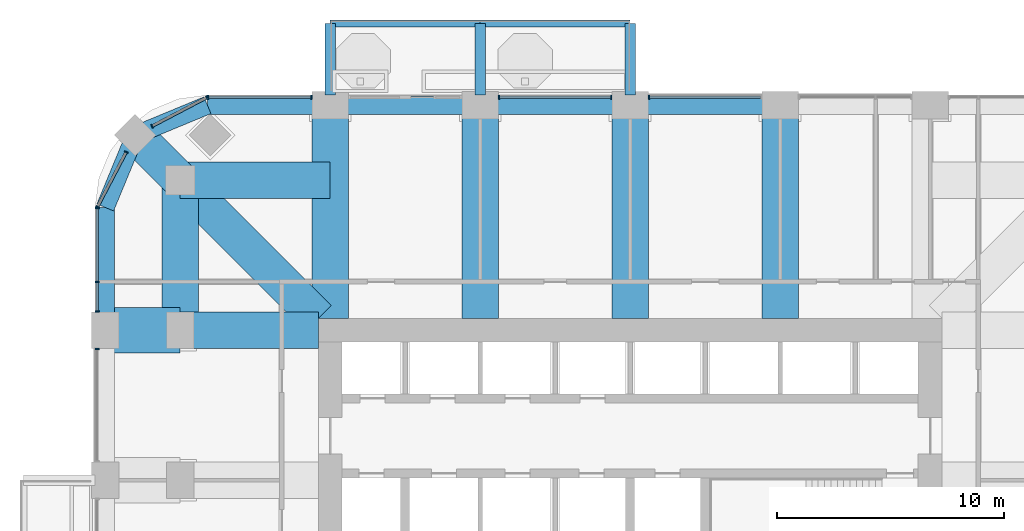
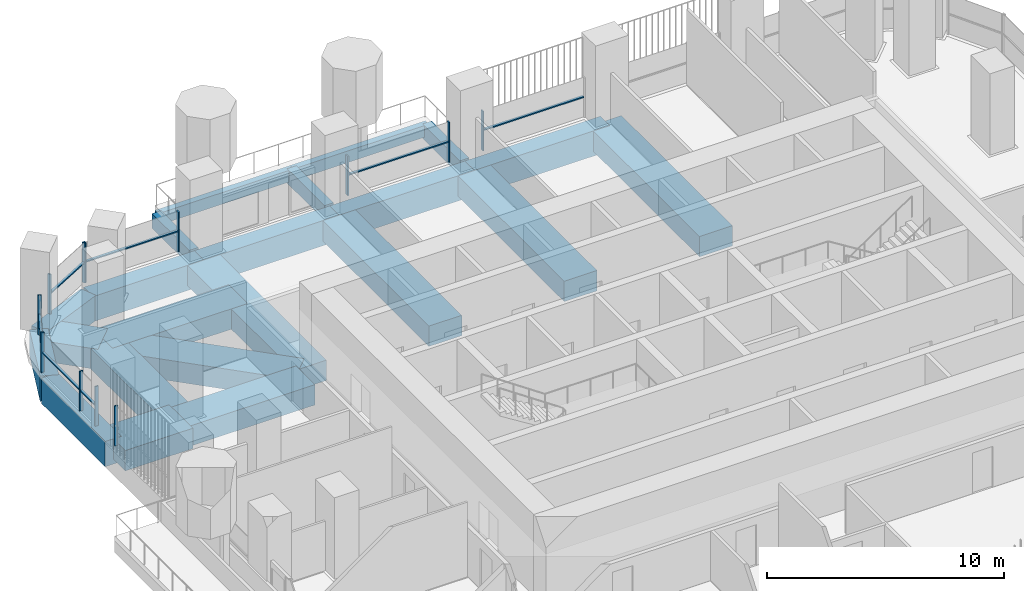
# One storey, part 6 of 20: 22 beams, 20 members, 7 elements without a shape of their own.
"""IFC4 building model written with IfcOpenShell, lengths in metres."""

import ifcopenshell
import ifcopenshell.guid

model = None  # the IFC model being written
_history = None  # IfcOwnerHistory: only IFC2X3 demands one
_inside = {}  # id of a spatial element -> (the spatial element, [elements in it])
_under = {}  # id of a project, library or spatial element -> (it, [spatial elements below it])
_declared = {}  # id of a project -> (the project, [libraries it declares])
_typed = {}  # id of a type object -> (the type object, [elements of that type])
_made_of = {}  # id of a material, layer set ... -> (it, [elements and type objects made of it])


def new_model(schema):
    """Start an empty IFC model of exactly this schema.

    Asked for "IFC4X3", IfcOpenShell would pick the latest addendum, in which some entities
    have other attributes; the version numbers below select the first issue.
    IFC2X3 requires an IfcOwnerHistory on every rooted entity: one is made here for all.
    """
    global model, _history
    if schema == "IFC4X3":
        model = ifcopenshell.file(schema_version=(4, 3, 0, 0))
    else:
        model = ifcopenshell.file(schema=schema)
    _inside.clear()
    _under.clear()
    _declared.clear()
    _typed.clear()
    _made_of.clear()
    _history = None
    if model.schema == "IFC2X3":
        org = make("IfcOrganization", Name="unknown")
        user = make(
            "IfcPersonAndOrganization",
            ThePerson=make("IfcPerson", FamilyName="unknown"),
            TheOrganization=org,
        )
        app = make(
            "IfcApplication",
            ApplicationDeveloper=org,
            Version="unknown",
            ApplicationFullName="unknown",
            ApplicationIdentifier="unknown",
        )
        _history = make(
            "IfcOwnerHistory",
            OwningUser=user,
            OwningApplication=app,
            ChangeAction="ADDED",
            CreationDate=0,
        )
    return model


def make(cls, **values):
    """One entity of the class cls with the attributes given. An attribute that is None is left unset."""
    return model.create_entity(
        cls, **{name: value for name, value in values.items() if value is not None}
    )


def rooted(cls, **values):
    """An entity with a GlobalId (a new one), such as an element, a storey or a relation."""
    return make(cls, GlobalId=ifcopenshell.guid.new(), OwnerHistory=_history, **values)


def si_unit(unit_type, name, prefix=None):
    """IfcSIUnit, for example si_unit("LENGTHUNIT", "METRE", prefix="MILLI")."""
    return make("IfcSIUnit", UnitType=unit_type, Prefix=prefix, Name=name)


def assignment(units):
    """IfcUnitAssignment: the units of a project."""
    return None if units is None else make("IfcUnitAssignment", Units=units)


def point(xyz):
    """IfcCartesianPoint."""
    return None if xyz is None else make("IfcCartesianPoint", Coordinates=xyz)


def direction(xyz):
    """IfcDirection."""
    return None if xyz is None else make("IfcDirection", DirectionRatios=xyz)


def frame(location, z_axis=None, x_axis=None):
    """IfcAxis2Placement3D, a coordinate frame: its origin and axes. An axis left out is left unset."""
    return make(
        "IfcAxis2Placement3D",
        Location=point(location),
        Axis=direction(z_axis),
        RefDirection=direction(x_axis),
    )


def frame_2d(location, x_axis=None):
    """IfcAxis2Placement2D, a coordinate frame in the plane: its origin and x axis."""
    return make(
        "IfcAxis2Placement2D", Location=point(location), RefDirection=direction(x_axis)
    )


def origin():
    """The frame at (0, 0, 0) with its axes left unset."""
    return frame((0.0, 0.0, 0.0))


def origin_2d():
    """The frame at (0, 0) in the plane with its x axis left unset."""
    return frame_2d((0.0, 0.0))


def place(relative_to, where):
    """IfcLocalPlacement: puts the frame where relative to a parent placement (None: the world)."""
    return make(
        "IfcLocalPlacement", PlacementRelTo=relative_to, RelativePlacement=where
    )


def context(
    kind, dimensions, precision=None, world=None, true_north=None, identifier=None
):
    """IfcGeometricRepresentationContext, for example the 3D "Model" context."""
    return make(
        "IfcGeometricRepresentationContext",
        ContextIdentifier=identifier,
        ContextType=kind,
        CoordinateSpaceDimension=dimensions,
        Precision=precision,
        WorldCoordinateSystem=world,
        TrueNorth=true_north,
    )


def subcontext(parent, identifier, kind, view, scale=None):
    """IfcGeometricRepresentationSubContext, for example "Body" below "Model"."""
    return make(
        "IfcGeometricRepresentationSubContext",
        ContextIdentifier=identifier,
        ContextType=kind,
        ParentContext=parent,
        TargetScale=scale,
        TargetView=view,
    )


def project(units=None, contexts=None):
    """IfcProject with its units and contexts."""
    return rooted(
        "IfcProject",
        Name="project",
        RepresentationContexts=contexts,
        UnitsInContext=assignment(units),
    )


def spatial(cls, under=None, at=None, **own):
    """A site, building, storey or space (cls), placed at a placement, below another one or the project."""
    s = rooted(cls, ObjectPlacement=at, **own)
    if under is not None:
        _under.setdefault(under.id(), (under, []))[1].append(s)
    return s


def profile(cls, at=None, kind="AREA", **sizes):
    """A parametric profile (cls). Its sizes go by their IFC names, for example OverallWidth=200.0."""
    return make(cls, ProfileType=kind, Position=at, **sizes)


def rectangle(**sizes):
    """IfcRectangleProfileDef."""
    return profile("IfcRectangleProfileDef", **sizes)


def extrude(swept, where, along, depth):
    """IfcExtrudedAreaSolid: the profile swept, set in the frame where, extruded along a direction by depth."""
    return make(
        "IfcExtrudedAreaSolid",
        SweptArea=swept,
        Position=where,
        ExtrudedDirection=direction(along),
        Depth=depth,
    )


def shape(context_of_items, identifier, shape_type, items):
    """IfcShapeRepresentation: the items that make up one representation, for example the "Body"."""
    return make(
        "IfcShapeRepresentation",
        ContextOfItems=context_of_items,
        RepresentationIdentifier=identifier,
        RepresentationType=shape_type,
        Items=items,
    )


def material(Name=None, Category=None):
    """IfcMaterial."""
    return make("IfcMaterial", Name=Name, Category=Category)


def material_profile(
    of_material, cross_section, Name=None, Category=None, Priority=None
):
    """IfcMaterialProfile: a cross section and its material."""
    return make(
        "IfcMaterialProfile",
        Name=Name,
        Material=of_material,
        Profile=cross_section,
        Priority=Priority,
        Category=Category,
    )


def profile_set(profiles, Name=None, composite=None):
    """IfcMaterialProfileSet."""
    return make(
        "IfcMaterialProfileSet",
        Name=Name,
        MaterialProfiles=profiles,
        CompositeProfile=composite,
    )


def made_of(thing, what):
    """Note that an element or type object is made of a material, layer set ...; save() writes the relation."""
    if what is not None:
        _made_of.setdefault(what.id(), (what, []))[1].append(thing)
    return thing


def type_object(cls, material=None, **own):
    """A type object (cls), such as IfcWallType, which elements share."""
    return made_of(rooted(cls, **own), material)


def element(
    cls,
    number,
    at=None,
    inside=None,
    cuts=None,
    type_object=None,
    material=None,
    context=None,
    identifier="Body",
    shape_type=None,
    held_by="IfcProductDefinitionShape",
    body=None,
    shapes=None,
    **own,
):
    """One element of the class cls, such as IfcWall. Its Tag is "e" and its number.

    at: its placement. inside: the storey or other place that contains it. cuts: it is an
    opening in that element (IfcRelVoidsElement). A single representation is given by context,
    identifier, shape_type and body (its items); several are given by shapes. held_by: the class
    of the entity that holds the representations. save() writes the other relations.
    """
    e = rooted(cls, Tag="e%d" % number, ObjectPlacement=at, **own)
    if body is not None:
        shapes = [shape(context, identifier, shape_type, body)]
    if shapes is not None:
        e.Representation = make(held_by, Representations=shapes)
    if inside is not None:
        _inside.setdefault(inside.id(), (inside, []))[1].append(e)
    if cuts is not None:
        rooted(
            "IfcRelVoidsElement", RelatingBuildingElement=cuts, RelatedOpeningElement=e
        )
    if type_object is not None:
        _typed.setdefault(type_object.id(), (type_object, []))[1].append(e)
    return made_of(e, material)


def aggregate(whole, parts):
    """IfcRelAggregates: a whole, such as a stair, and the parts it consists of."""
    return rooted("IfcRelAggregates", RelatingObject=whole, RelatedObjects=parts)


def save(model, path):
    """Write the relations noted so far, then the file.

    IfcRelAggregates (storeys below a building ...), IfcRelContainedInSpatialStructure (elements
    in a storey), IfcRelDefinesByType, IfcRelAssociatesMaterial and IfcRelDeclares: one each for
    every whole, place, type object, material and project.
    """
    for whole, parts in _under.values():
        aggregate(whole, parts)
    for where, things in _inside.values():
        rooted(
            "IfcRelContainedInSpatialStructure",
            RelatedElements=things,
            RelatingStructure=where,
        )
    for kind, things in _typed.values():
        rooted("IfcRelDefinesByType", RelatedObjects=things, RelatingType=kind)
    for what, things in _made_of.values():
        rooted("IfcRelAssociatesMaterial", RelatedObjects=things, RelatingMaterial=what)
    for by, libraries in _declared.values():
        rooted("IfcRelDeclares", RelatingContext=by, RelatedDefinitions=libraries)
    model.write(path)


model = new_model("IFC4")

# Units and contexts
model_context = context("Model", 3, precision=1e-05, world=origin(), true_north=direction((0.0, 1.0)))
body_context = subcontext(model_context, "Body", "Model", "MODEL_VIEW")
ifc_project = project(units=[si_unit("LENGTHUNIT", "METRE"), si_unit("AREAUNIT", "SQUARE_METRE"), si_unit("VOLUMEUNIT", "CUBIC_METRE"), si_unit("PLANEANGLEUNIT", "RADIAN"), si_unit("MASSUNIT", "GRAM", prefix="KILO")], contexts=[model_context])

# Site, building, storey
site_placement = place(None, origin())
site = spatial("IfcSite", under=ifc_project, at=site_placement, CompositionType="ELEMENT")
building_placement = place(site_placement, origin())
building = spatial("IfcBuilding", under=site, at=building_placement, Name="Cobogo Forest Laboratory Tower", CompositionType="ELEMENT")
storey_placement = place(building_placement, frame((0.0, 0.0, 218.699951171875)))
storey = spatial("IfcBuildingStorey", under=building, at=storey_placement, Name="L50", CompositionType="ELEMENT", Elevation=218.699951171875)

# Beams
ifc_material_1 = material(Name="Concrete HA-40 (C40/50)", Category="concrete")
ifc_material_profile_1 = material_profile(ifc_material_1, rectangle(XDim=0.449951171875, YDim=0.75, at=origin_2d()), Name="RC 450x750")
ifc_profile_set_1 = profile_set([ifc_material_profile_1], Name="Concrete HA-40 (C40/50)")
beam_type_1 = type_object("IfcBeamType", Name="Balcony cantilever beam 450x750", PredefinedType="BEAM", material=ifc_profile_set_1)
for number, where, z_axis, x_axis, name in (
    (1, (13.199951171875, 43.35009765625, -0.625), (0.0, 1.0, 0.0), (-1.0, 0.0, 0.0), "CB1 BAL-N1-C1 L50"),
    (2, (19.800048828125, 43.35009765625, -0.625), (0.0, 1.0, 0.0), (-1.0, 0.0, 0.0), "CB1 BAL-N1-C2 L50"),
    (3, (26.39990234375, 43.35009765625, -0.625), (0.0, 1.0, 0.0), (-1.0, 0.0, 0.0), "CB1 BAL-N1-C3 L50"),
):
    element("IfcBeam", number, at=place(storey_placement, frame(where, z_axis=z_axis, x_axis=x_axis)), inside=storey, type_object=beam_type_1, Name=name, PredefinedType="BEAM", context=body_context, shape_type="SweptSolid", body=[
        extrude(rectangle(XDim=0.449951171875, YDim=0.75, at=origin_2d()), origin(), (0.0, 0.0, 1.0), 3.14990234375),
    ])
ifc_material_profile_2 = material_profile(ifc_material_1, rectangle(XDim=0.300048828125, YDim=0.60009765625, at=origin_2d()), Name="RC 300x600")
ifc_profile_set_2 = profile_set([ifc_material_profile_2], Name="Concrete HA-40 (C40/50)")
beam_type_2 = type_object("IfcBeamType", Name="Balcony edge beam 300x600", PredefinedType="BEAM", material=ifc_profile_set_2)
beam_1_placement = place(storey_placement, frame((13.199951171875, 46.5, -0.550048828125), z_axis=(1.0, 0.0, 0.0), x_axis=(0.0, 1.0, 0.0)))
element("IfcBeam", 4, at=beam_1_placement, inside=storey, type_object=beam_type_2, Name="BB1 BAL-N1-T1 L50", PredefinedType="BEAM", context=body_context, shape_type="SweptSolid", body=[
    extrude(rectangle(XDim=0.300048828125, YDim=0.60009765625, at=origin_2d()), origin(), (0.0, 0.0, 1.0), 6.60009765625),
])
beam_2_placement = place(storey_placement, frame((19.800048828125, 46.5, -0.550048828125), z_axis=(1.0, 0.0, 0.0), x_axis=(0.0, 1.0, 0.0)))
element("IfcBeam", 5, at=beam_2_placement, inside=storey, type_object=beam_type_2, Name="BB1 BAL-N1-T2 L50", PredefinedType="BEAM", context=body_context, shape_type="SweptSolid", body=[
    extrude(rectangle(XDim=0.300048828125, YDim=0.60009765625, at=origin_2d()), origin(), (0.0, 0.0, 1.0), 6.599853515625),
])
ifc_material_2 = material(Name="Concrete HA-50 (C50/60)", Category="concrete")
ifc_material_profile_3 = material_profile(ifc_material_2, rectangle(XDim=2.0, YDim=1.050048828125, at=origin_2d()), Name="RC 2000x1050")
ifc_profile_set_3 = profile_set([ifc_material_profile_3], Name="Concrete HA-50 (C50/60)")
beam_type_3 = type_object("IfcBeamType", Name="End-bay wide beam 2000x1050", PredefinedType="BEAM", material=ifc_profile_set_3)
beam_3_placement = place(storey_placement, frame((3.300048828125, 33.0, -0.824951171875), z_axis=(1.0, 0.0, 0.0), x_axis=(0.0, 1.0, 0.0)))
element("IfcBeam", 6, at=beam_3_placement, inside=storey, type_object=beam_type_3, Name="RB7 R-F-W-X L50", PredefinedType="BEAM", context=body_context, shape_type="SweptSolid", body=[
    extrude(rectangle(XDim=2.0, YDim=1.050048828125, at=origin_2d()), origin(), (0.0, 0.0, 1.0), 3.300048828125),
])
ifc_material_profile_4 = material_profile(ifc_material_2, rectangle(XDim=1.60009765625, YDim=1.050048828125, at=origin_2d()), Name="RC 1600x1050")
ifc_profile_set_4 = profile_set([ifc_material_profile_4], Name="Concrete HA-50 (C50/60)")
beam_type_4 = type_object("IfcBeamType", Name="Laboratory floor wide beam 1600x1050", PredefinedType="BEAM", material=ifc_profile_set_4)
for number, where, z_axis, x_axis, name in (
    (7, (13.199951171875, 33.52490234375, -0.824951171875), (0.0, 1.0, 0.0), (-1.0, 0.0, 0.0), "RB8 R-3-N L50"),
    (8, (19.800048828125, 33.52490234375, -0.824951171875), (0.0, 1.0, 0.0), (-1.0, 0.0, 0.0), "RB8 R-4-N L50"),
    (9, (26.39990234375, 33.52490234375, -0.824951171875), (0.0, 1.0, 0.0), (-1.0, 0.0, 0.0), "RB8 R-5-N L50"),
    (10, (33.0, 33.52490234375, -0.824951171875), (0.0, 1.0, 0.0), (-1.0, 0.0, 0.0), "RB8 R-6-N L50"),
):
    element("IfcBeam", number, at=place(storey_placement, frame(where, z_axis=z_axis, x_axis=x_axis)), inside=storey, type_object=beam_type_4, Name=name, PredefinedType="BEAM", context=body_context, shape_type="SweptSolid", body=[
        extrude(rectangle(XDim=1.60009765625, YDim=1.050048828125, at=origin_2d()), origin(), (0.0, 0.0, 1.0), 9.375),
    ])
beam_4_placement = place(storey_placement, frame((12.675048828125, 33.0, -0.824951171875), z_axis=(-1.0, 0.0, 0.0), x_axis=(0.0, -1.0, 0.0)))
element("IfcBeam", 11, at=beam_4_placement, inside=storey, type_object=beam_type_4, Name="RB8 R-F-W L50", PredefinedType="BEAM", context=body_context, shape_type="SweptSolid", body=[
    extrude(rectangle(XDim=1.60009765625, YDim=1.050048828125, at=origin_2d()), origin(), (0.0, 0.0, 1.0), 6.074951171875),
])
beam_5_placement = place(storey_placement, frame((6.60009765625, 39.60009765625, -0.824951171875), z_axis=(0.0, -1.0, 0.0), x_axis=(1.0, 0.0, 0.0)))
element("IfcBeam", 12, at=beam_5_placement, inside=storey, type_object=beam_type_4, Name="RB8 G-NW-XC L50", PredefinedType="BEAM", context=body_context, shape_type="SweptSolid", body=[
    extrude(rectangle(XDim=1.60009765625, YDim=1.050048828125, at=origin_2d()), origin(), (0.0, 0.0, 1.0), 6.60009765625),
])
beam_6_placement = place(storey_placement, frame((6.60009765625, 39.60009765625, -0.824951171875), z_axis=(1.0, 0.0, 0.0), x_axis=(0.0, 1.0, 0.0)))
element("IfcBeam", 13, at=beam_6_placement, inside=storey, type_object=beam_type_4, Name="RB8 G-NW-YC L50", PredefinedType="BEAM", context=body_context, shape_type="SweptSolid", body=[
    extrude(rectangle(XDim=1.60009765625, YDim=1.050048828125, at=origin_2d()), origin(), (0.0, 0.0, 1.0), 6.599853515625),
])
beam_7_placement = place(storey_placement, frame((4.617919921875, 41.58203125, -0.824951171875), z_axis=(0.707150328948, -0.707063230743, 0.0), x_axis=(0.707063230743, 0.707150328948, 0.0)))
element("IfcBeam", 14, at=beam_7_placement, inside=storey, type_object=beam_type_4, Name="RB8 G-NW-D1 L50", PredefinedType="BEAM", context=body_context, shape_type="SweptSolid", body=[
    extrude(rectangle(XDim=1.60009765625, YDim=1.050048828125, at=origin_2d()), origin(), (0.0, 0.0, 1.0), 2.802978515625),
])
beam_8_placement = place(storey_placement, frame((6.60009765625, 39.60009765625, -0.824951171875), z_axis=(0.707092572697, -0.70712098939, 0.0), x_axis=(0.70712098939, 0.707092572697, 0.0)))
element("IfcBeam", 15, at=beam_8_placement, inside=storey, type_object=beam_type_4, Name="RB8 G-NW-D2 L50", PredefinedType="BEAM", context=body_context, shape_type="SweptSolid", body=[
    extrude(rectangle(XDim=1.60009765625, YDim=1.050048828125, at=origin_2d()), origin(), (0.0, 0.0, 1.0), 8.591552734375),
])

# Curtain wall, member
ifc_material_3 = material(Name="Aluminium curtain wall", Category="aluminium")
curtain_wall_type = type_object("IfcCurtainWallType", Name="CW-2 unitised curtain wall, solar control glazing, laboratory floors zones C and D", PredefinedType="USERDEFINED", material=ifc_material_3)
curtain_wall_1_placement = place(storey_placement, origin())
curtain_wall_1 = element("IfcCurtainWall", 16, at=curtain_wall_1_placement, inside=storey, type_object=curtain_wall_type, Name="Curtain wall 18 L50", ObjectType="UNITISED CURTAIN WALL", PredefinedType="USERDEFINED")
ifc_material_4 = material(Name="Aluminium mullion", Category="aluminium")
ifc_material_profile_5 = material_profile(ifc_material_4, rectangle(XDim=0.06005859375, YDim=0.159912109375, at=origin_2d()), Name="AL 60x160")
ifc_profile_set_5 = profile_set([ifc_material_profile_5], Name="Aluminium mullion")
member_type_1 = type_object("IfcMemberType", Name="MU-1 aluminium mullion 60x160", PredefinedType="MULLION", material=ifc_profile_set_5)
member_1_placement = place(storey_placement, frame((27.22998046875, 43.25, 0.0), z_axis=(0.0, 0.0, 1.0), x_axis=(-1.0, 0.0, 0.0)))
member_1 = element("IfcMember", 17, at=member_1_placement, type_object=member_type_1, Name="CW-2 mullion 2", PredefinedType="MULLION", context=body_context, shape_type="SweptSolid", body=[
    extrude(rectangle(XDim=0.06005859375, YDim=0.159912109375, at=origin_2d()), origin(), (0.0, 0.0, 1.0), 2.050048828125),
])

# Curtain wall, members
curtain_wall_2_placement = place(storey_placement, origin())
curtain_wall_2 = element("IfcCurtainWall", 18, at=curtain_wall_2_placement, inside=storey, type_object=curtain_wall_type, Name="Curtain wall 19 L50", ObjectType="UNITISED CURTAIN WALL", PredefinedType="USERDEFINED")
member_2_placement = place(storey_placement, frame((25.570068359375, 43.25, 0.0), z_axis=(0.0, 0.0, 1.0), x_axis=(-1.0, 0.0, 0.0)))
member_2 = element("IfcMember", 19, at=member_2_placement, type_object=member_type_1, Name="CW-2 mullion 1", PredefinedType="MULLION", context=body_context, shape_type="SweptSolid", body=[
    extrude(rectangle(XDim=0.06005859375, YDim=0.159912109375, at=origin_2d()), origin(), (0.0, 0.0, 1.0), 2.050048828125),
])
member_3_placement = place(storey_placement, frame((20.6298828125, 43.25, 0.0), z_axis=(0.0, 0.0, 1.0), x_axis=(-1.0, 0.0, 0.0)))
member_3 = element("IfcMember", 20, at=member_3_placement, type_object=member_type_1, Name="CW-2 mullion 2", PredefinedType="MULLION", context=body_context, shape_type="SweptSolid", body=[
    extrude(rectangle(XDim=0.06005859375, YDim=0.159912109375, at=origin_2d()), origin(), (0.0, 0.0, 1.0), 2.050048828125),
])

curtain_wall_3_placement = place(storey_placement, origin())
curtain_wall_3 = element("IfcCurtainWall", 21, at=curtain_wall_3_placement, inside=storey, type_object=curtain_wall_type, Name="Curtain wall 21 L50", ObjectType="UNITISED CURTAIN WALL", PredefinedType="USERDEFINED")
member_4_placement = place(storey_placement, frame((12.3701171875, 43.25, 0.0), z_axis=(0.0, 0.0, 1.0), x_axis=(-1.0, 0.0, 0.0)))
member_4 = element("IfcMember", 22, at=member_4_placement, type_object=member_type_1, Name="CW-2 mullion 1", PredefinedType="MULLION", context=body_context, shape_type="SweptSolid", body=[
    extrude(rectangle(XDim=0.06005859375, YDim=0.159912109375, at=origin_2d()), origin(), (0.0, 0.0, 1.0), 2.050048828125),
])
member_5_placement = place(storey_placement, frame((7.830078125, 43.25, 0.0), z_axis=(0.0, 0.0, 1.0), x_axis=(-1.0, 0.0, 0.0)))
member_5 = element("IfcMember", 23, at=member_5_placement, type_object=member_type_1, Name="CW-2 mullion 2", PredefinedType="MULLION", context=body_context, shape_type="SweptSolid", body=[
    extrude(rectangle(XDim=0.06005859375, YDim=0.159912109375, at=origin_2d()), origin(), (0.0, 0.0, 1.0), 2.050048828125),
])

curtain_wall_4_placement = place(storey_placement, origin())
curtain_wall_4 = element("IfcCurtainWall", 24, at=curtain_wall_4_placement, inside=storey, type_object=curtain_wall_type, Name="Curtain wall 22 L50", ObjectType="UNITISED CURTAIN WALL", PredefinedType="USERDEFINED")
member_6_placement = place(storey_placement, frame((7.7734375, 43.236083984375, 0.0), z_axis=(0.0, 0.0, 1.0), x_axis=(-0.885686547075, -0.464283685186, 0.0)))
member_6 = element("IfcMember", 25, at=member_6_placement, type_object=member_type_1, Name="CW-2 mullion 1", PredefinedType="MULLION", context=body_context, shape_type="SweptSolid", body=[
    extrude(rectangle(XDim=0.06005859375, YDim=0.159912109375, at=origin_2d()), origin(), (0.0, 0.0, 1.0), 2.050048828125),
])
member_7_placement = place(storey_placement, frame((5.368408203125, 41.975341796875, 0.0), z_axis=(0.0, 0.0, 1.0), x_axis=(-0.885686547075, -0.464283685186, 0.0)))
member_7 = element("IfcMember", 26, at=member_7_placement, type_object=member_type_1, Name="CW-2 mullion 2", PredefinedType="MULLION", context=body_context, shape_type="SweptSolid", body=[
    extrude(rectangle(XDim=0.06005859375, YDim=0.159912109375, at=origin_2d()), origin(), (0.0, 0.0, 1.0), 2.050048828125),
])

curtain_wall_5_placement = place(storey_placement, origin())
curtain_wall_5 = element("IfcCurtainWall", 27, at=curtain_wall_5_placement, inside=storey, type_object=curtain_wall_type, Name="Curtain wall 23 L50", ObjectType="UNITISED CURTAIN WALL", PredefinedType="USERDEFINED")
member_8_placement = place(storey_placement, frame((4.224609375, 40.831787109375, 0.0), z_axis=(0.0, 0.0, 1.0), x_axis=(-0.464283685186, -0.885686547075, 0.0)))
member_8 = element("IfcMember", 28, at=member_8_placement, type_object=member_type_1, Name="CW-2 mullion 1", PredefinedType="MULLION", context=body_context, shape_type="SweptSolid", body=[
    extrude(rectangle(XDim=0.06005859375, YDim=0.159912109375, at=origin_2d()), origin(), (0.0, 0.0, 1.0), 2.050048828125),
])
member_9_placement = place(storey_placement, frame((2.9638671875, 38.426513671875, 0.0), z_axis=(0.0, 0.0, 1.0), x_axis=(-0.464283685186, -0.885686547075, 0.0)))
member_9 = element("IfcMember", 29, at=member_9_placement, type_object=member_type_1, Name="CW-2 mullion 2", PredefinedType="MULLION", context=body_context, shape_type="SweptSolid", body=[
    extrude(rectangle(XDim=0.06005859375, YDim=0.159912109375, at=origin_2d()), origin(), (0.0, 0.0, 1.0), 2.050048828125),
])

curtain_wall_6_placement = place(storey_placement, origin())
curtain_wall_6 = element("IfcCurtainWall", 30, at=curtain_wall_6_placement, inside=storey, type_object=curtain_wall_type, Name="Curtain wall 24 L50", ObjectType="UNITISED CURTAIN WALL", PredefinedType="USERDEFINED")
member_10_placement = place(storey_placement, frame((2.949951171875, 38.3701171875, 0.0), z_axis=(0.0, 0.0, 1.0), x_axis=(0.0, -1.0, 0.0)))
member_10 = element("IfcMember", 31, at=member_10_placement, type_object=member_type_1, Name="CW-2 mullion 1", PredefinedType="MULLION", context=body_context, shape_type="SweptSolid", body=[
    extrude(rectangle(XDim=0.06005859375, YDim=0.159912109375, at=origin_2d()), origin(), (0.0, 0.0, 1.0), 2.050048828125),
])
member_11_placement = place(storey_placement, frame((2.949951171875, 35.125, 0.0), z_axis=(0.0, 0.0, 1.0), x_axis=(0.0, -1.0, 0.0)))
member_11 = element("IfcMember", 32, at=member_11_placement, type_object=member_type_1, Name="CW-2 mullion 2", PredefinedType="MULLION", context=body_context, shape_type="SweptSolid", body=[
    extrude(rectangle(XDim=0.06005859375, YDim=0.159912109375, at=origin_2d()), origin(), (0.0, 0.0, 1.0), 2.050048828125),
])
member_12_placement = place(storey_placement, frame((2.949951171875, 33.830078125, 0.0), z_axis=(0.0, 0.0, 1.0), x_axis=(0.0, -1.0, 0.0)))
member_12 = element("IfcMember", 33, at=member_12_placement, type_object=member_type_1, Name="CW-2 mullion 3", PredefinedType="MULLION", context=body_context, shape_type="SweptSolid", body=[
    extrude(rectangle(XDim=0.06005859375, YDim=0.159912109375, at=origin_2d()), origin(), (0.0, 0.0, 1.0), 2.050048828125),
])

# Curtain wall, member
curtain_wall_7_placement = place(storey_placement, origin())
curtain_wall_7 = element("IfcCurtainWall", 34, at=curtain_wall_7_placement, inside=storey, type_object=curtain_wall_type, Name="Curtain wall 25 L50", ObjectType="UNITISED CURTAIN WALL", PredefinedType="USERDEFINED")
member_13_placement = place(storey_placement, frame((2.949951171875, 32.169921875, 0.0), z_axis=(0.0, 0.0, 1.0), x_axis=(0.0, -1.0, 0.0)))
member_13 = element("IfcMember", 35, at=member_13_placement, type_object=member_type_1, Name="CW-2 mullion 1", PredefinedType="MULLION", context=body_context, shape_type="SweptSolid", body=[
    extrude(rectangle(XDim=0.06005859375, YDim=0.159912109375, at=origin_2d()), origin(), (0.0, 0.0, 1.0), 2.050048828125),
])
aggregate(curtain_wall_7, [member_13])

# Beams
ifc_material_profile_6 = material_profile(ifc_material_1, rectangle(XDim=0.800048828125, YDim=1.300048828125, at=origin_2d()), Name="RC 800x1300")
ifc_profile_set_6 = profile_set([ifc_material_profile_6], Name="Concrete HA-40 (C40/50)")
beam_type_5 = type_object("IfcBeamType", Name="Perimeter edge beam 800x1300", PredefinedType="BEAM", material=ifc_profile_set_6)
beam_9_placement = place(storey_placement, frame((13.199951171875, 42.89990234375, -0.949951171875), z_axis=(1.0, 0.0, 0.0), x_axis=(0.0, 1.0, 0.0)))
element("IfcBeam", 36, at=beam_9_placement, inside=storey, type_object=beam_type_5, Name="EB2 E-N1 L50", PredefinedType="BEAM", context=body_context, shape_type="SweptSolid", body=[
    extrude(rectangle(XDim=0.800048828125, YDim=1.300048828125, at=origin_2d()), origin(), (0.0, 0.0, 1.0), 6.60009765625),
])
beam_10_placement = place(storey_placement, frame((19.800048828125, 42.89990234375, -0.949951171875), z_axis=(1.0, 0.0, 0.0), x_axis=(0.0, 1.0, 0.0)))
element("IfcBeam", 37, at=beam_10_placement, inside=storey, type_object=beam_type_5, Name="EB2 E-N2 L50", PredefinedType="BEAM", context=body_context, shape_type="SweptSolid", body=[
    extrude(rectangle(XDim=0.800048828125, YDim=1.300048828125, at=origin_2d()), origin(), (0.0, 0.0, 1.0), 6.599853515625),
])
beam_11_placement = place(storey_placement, frame((26.39990234375, 42.89990234375, -0.949951171875), z_axis=(1.0, 0.0, 0.0), x_axis=(0.0, 1.0, 0.0)))
element("IfcBeam", 38, at=beam_11_placement, inside=storey, type_object=beam_type_5, Name="EB2 E-N3 L50", PredefinedType="BEAM", context=body_context, shape_type="SweptSolid", body=[
    extrude(rectangle(XDim=0.800048828125, YDim=1.300048828125, at=origin_2d()), origin(), (0.0, 0.0, 1.0), 6.60009765625),
])
beam_12_placement = place(storey_placement, frame((13.199951171875, 42.89990234375, -0.949951171875), z_axis=(-1.0, 0.0, 0.0), x_axis=(0.0, -1.0, 0.0)))
element("IfcBeam", 39, at=beam_12_placement, inside=storey, type_object=beam_type_5, Name="EB2 E-NWN1 L50", PredefinedType="BEAM", context=body_context, shape_type="SweptSolid", body=[
    extrude(rectangle(XDim=0.800048828125, YDim=1.300048828125, at=origin_2d()), origin(), (0.0, 0.0, 1.0), 5.39990234375),
])
beam_13_placement = place(storey_placement, frame((7.800048828125, 42.89990234375, -0.949951171875), z_axis=(-0.923901072997, -0.382631424892, 0.0), x_axis=(0.382631424892, -0.923901072997, 0.0)))
element("IfcBeam", 40, at=beam_13_placement, inside=storey, type_object=beam_type_5, Name="EB2 E-NWN2 L50", PredefinedType="BEAM", context=body_context, shape_type="SweptSolid", body=[
    extrude(rectangle(XDim=0.800048828125, YDim=1.300048828125, at=origin_2d()), origin(), (0.0, 0.0, 1.0), 3.4443359375),
])
beam_14_placement = place(storey_placement, frame((3.300048828125, 33.0, -0.949951171875), z_axis=(0.0, 1.0, 0.0), x_axis=(-1.0, 0.0, 0.0)))
element("IfcBeam", 41, at=beam_14_placement, inside=storey, type_object=beam_type_5, Name="EB2 E-NWW1 L50", PredefinedType="BEAM", context=body_context, shape_type="SweptSolid", body=[
    extrude(rectangle(XDim=0.800048828125, YDim=1.300048828125, at=origin_2d()), origin(), (0.0, 0.0, 1.0), 5.39990234375),
])
beam_15_placement = place(storey_placement, frame((3.300048828125, 38.39990234375, -0.949951171875), z_axis=(0.382631424892, 0.923901072997, 0.0), x_axis=(-0.923901072997, 0.382631424892, 0.0)))
element("IfcBeam", 42, at=beam_15_placement, inside=storey, type_object=beam_type_5, Name="EB2 E-NWW2 L50", PredefinedType="BEAM", context=body_context, shape_type="SweptSolid", body=[
    extrude(rectangle(XDim=0.800048828125, YDim=1.300048828125, at=origin_2d()), origin(), (0.0, 0.0, 1.0), 3.4443359375),
])

# Member
ifc_material_5 = material(Name="Aluminium transom", Category="aluminium")
ifc_material_profile_7 = material_profile(ifc_material_5, rectangle(XDim=0.1201171875, YDim=0.06005859375, at=origin_2d()), Name="AL 60x120")
ifc_profile_set_7 = profile_set([ifc_material_profile_7], Name="Aluminium transom")
member_type_2 = type_object("IfcMemberType", Name="TR-1 aluminium transom 60x120", PredefinedType="USERDEFINED", material=ifc_profile_set_7)
member_14_placement = place(storey_placement, frame((32.139892578125, 43.25, 1.050048828125), z_axis=(-1.0, 0.0, 0.0), x_axis=(0.0, -1.0, 0.0)))
member_14 = element("IfcMember", 43, at=member_14_placement, type_object=member_type_2, Name="CW-2 transom 1.1", ObjectType="TRANSOM", PredefinedType="USERDEFINED", context=body_context, shape_type="SweptSolid", body=[
    extrude(rectangle(XDim=0.1201171875, YDim=0.06005859375, at=origin_2d()), origin(), (0.0, 0.0, 1.0), 4.8798828125),
])

aggregate(curtain_wall_1, [member_1, member_14])

member_15_placement = place(storey_placement, frame((25.5400390625, 43.25, 1.050048828125), z_axis=(-1.0, 0.0, 0.0), x_axis=(0.0, -1.0, 0.0)))
member_15 = element("IfcMember", 44, at=member_15_placement, type_object=member_type_2, Name="CW-2 transom 1.1", ObjectType="TRANSOM", PredefinedType="USERDEFINED", context=body_context, shape_type="SweptSolid", body=[
    extrude(rectangle(XDim=0.1201171875, YDim=0.06005859375, at=origin_2d()), origin(), (0.0, 0.0, 1.0), 4.880126953125),
])

aggregate(curtain_wall_2, [member_2, member_3, member_15])

member_16_placement = place(storey_placement, frame((12.340087890625, 43.25, 1.050048828125), z_axis=(-1.0, 0.0, 0.0), x_axis=(0.0, -1.0, 0.0)))
member_16 = element("IfcMember", 45, at=member_16_placement, type_object=member_type_2, Name="CW-2 transom 1.1", ObjectType="TRANSOM", PredefinedType="USERDEFINED", context=body_context, shape_type="SweptSolid", body=[
    extrude(rectangle(XDim=0.1201171875, YDim=0.06005859375, at=origin_2d()), origin(), (0.0, 0.0, 1.0), 4.47998046875),
])

aggregate(curtain_wall_3, [member_4, member_5, member_16])

member_17_placement = place(storey_placement, frame((7.746826171875, 43.22216796875, 1.050048828125), z_axis=(-0.885694740493, -0.464268054753, 0.0), x_axis=(0.464268054753, -0.885694740493, 0.0)))
member_17 = element("IfcMember", 46, at=member_17_placement, type_object=member_type_2, Name="CW-2 transom 1.1", ObjectType="TRANSOM", PredefinedType="USERDEFINED", context=body_context, shape_type="SweptSolid", body=[
    extrude(rectangle(XDim=0.1201171875, YDim=0.06005859375, at=origin_2d()), origin(), (0.0, 0.0, 1.0), 2.655517578125),
])

aggregate(curtain_wall_4, [member_6, member_7, member_17])

member_18_placement = place(storey_placement, frame((4.210693359375, 40.80517578125, 1.050048828125), z_axis=(-0.464268054753, -0.885694740493, 0.0), x_axis=(0.885694740493, -0.464268054753, 0.0)))
member_18 = element("IfcMember", 47, at=member_18_placement, type_object=member_type_2, Name="CW-2 transom 1.1", ObjectType="TRANSOM", PredefinedType="USERDEFINED", context=body_context, shape_type="SweptSolid", body=[
    extrude(rectangle(XDim=0.1201171875, YDim=0.06005859375, at=origin_2d()), origin(), (0.0, 0.0, 1.0), 2.655517578125),
])

aggregate(curtain_wall_5, [member_8, member_9, member_18])

member_19_placement = place(storey_placement, frame((2.949951171875, 38.340087890625, 1.050048828125), z_axis=(0.0, -1.0, 0.0), x_axis=(1.0, 0.0, 0.0)))
member_19 = element("IfcMember", 48, at=member_19_placement, type_object=member_type_2, Name="CW-2 transom 1.1", ObjectType="TRANSOM", PredefinedType="USERDEFINED", context=body_context, shape_type="SweptSolid", body=[
    extrude(rectangle(XDim=0.1201171875, YDim=0.06005859375, at=origin_2d()), origin(), (0.0, 0.0, 1.0), 3.18505859375),
])

member_20_placement = place(storey_placement, frame((2.949951171875, 35.094970703125, 1.050048828125), z_axis=(0.0, -1.0, 0.0), x_axis=(1.0, 0.0, 0.0)))
member_20 = element("IfcMember", 49, at=member_20_placement, type_object=member_type_2, Name="CW-2 transom 2.1", ObjectType="TRANSOM", PredefinedType="USERDEFINED", context=body_context, shape_type="SweptSolid", body=[
    extrude(rectangle(XDim=0.1201171875, YDim=0.06005859375, at=origin_2d()), origin(), (0.0, 0.0, 1.0), 1.23486328125),
])

aggregate(curtain_wall_6, [member_10, member_11, member_12, member_19, member_20])

save(model, "model.ifc")
